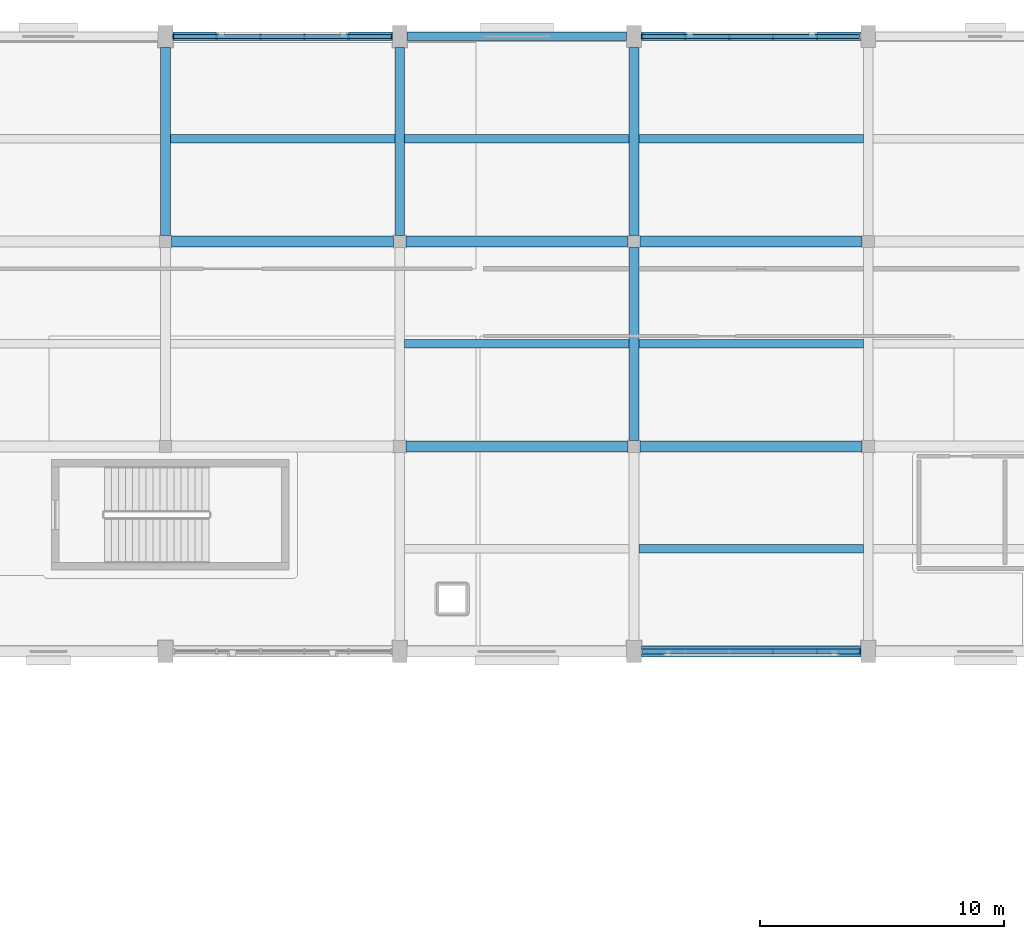
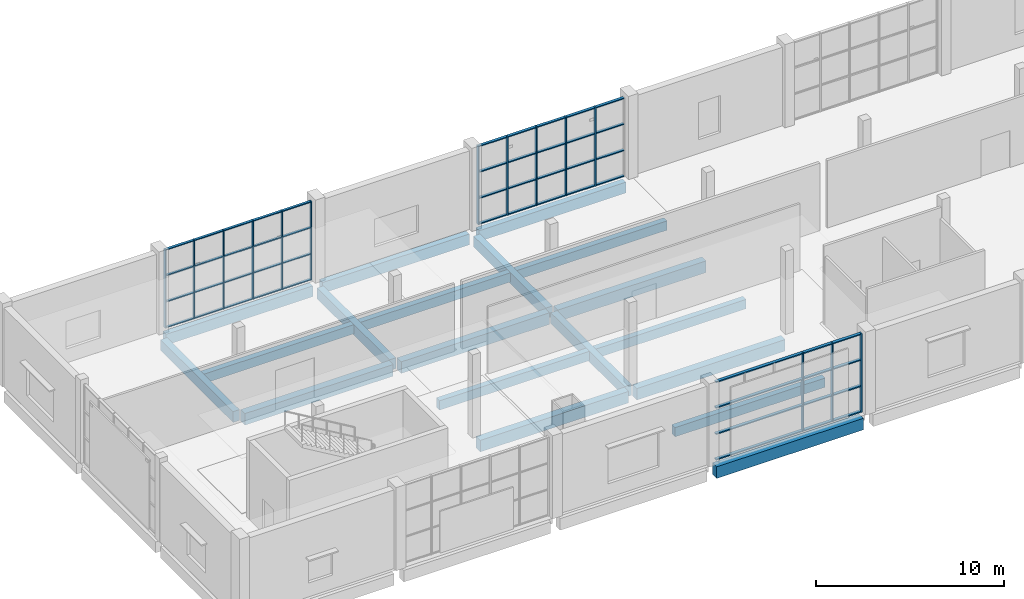
# One storey, part 23 of 72: 26 members, 19 beams, 3 elements without a shape of their own.
"""IFC4 building model written with IfcOpenShell, lengths in metres."""

from ifc_helpers import new_model, si_unit, direction, frame, origin, origin_2d, place, context, subcontext, project, spatial, rectangle, extrude, material, material_profile, profile_set, type_object, element, aggregate, save


model = new_model("IFC4")

# Units and contexts
model_context = context("Model", 3, precision=1e-05, world=origin(), true_north=direction((0.0, 1.0)))
body_context = subcontext(model_context, "Body", "Model", "MODEL_VIEW")
ifc_project = project(units=[si_unit("LENGTHUNIT", "METRE"), si_unit("AREAUNIT", "SQUARE_METRE"), si_unit("VOLUMEUNIT", "CUBIC_METRE"), si_unit("PLANEANGLEUNIT", "RADIAN"), si_unit("MASSUNIT", "GRAM", prefix="KILO")], contexts=[model_context])

# Site, building, storey
site_placement = place(None, origin())
site = spatial("IfcSite", under=ifc_project, at=site_placement, CompositionType="ELEMENT")
building_placement = place(site_placement, origin())
building = spatial("IfcBuilding", under=site, at=building_placement, Name="Shalvenor Court Art Gallery", CompositionType="ELEMENT")
storey_placement = place(building_placement, frame((0.0, 0.0, 11.39990234375)))
storey = spatial("IfcBuildingStorey", under=building, at=storey_placement, Name="L02", CompositionType="ELEMENT", Elevation=11.39990234375)

# Beams
ifc_material_1 = material(Name="Concrete C40/50", Category="concrete")
ifc_material_profile_1 = material_profile(ifc_material_1, rectangle(XDim=0.449951171875, YDim=0.75, at=origin_2d()), Name="RC 450x750")
ifc_profile_set_1 = profile_set([ifc_material_profile_1], Name="Concrete C40/50")
beam_type_1 = type_object("IfcBeamType", Name="B-04", PredefinedType="BEAM", material=ifc_profile_set_1)
beam_1_placement = place(storey_placement, frame((86.699951171875, 97.199951171875, -0.69482421875), z_axis=(1.0, 0.0, 0.0), x_axis=(0.0, 1.0, 0.0)))
element("IfcBeam", 1, at=beam_1_placement, inside=storey, type_object=beam_type_1, Name="L02 Girder BM-L02-B-04-0876", PredefinedType="BEAM", context=body_context, shape_type="SweptSolid", body=[
    extrude(rectangle(XDim=0.449951171875, YDim=0.75, at=origin_2d()), origin(), (0.0, 0.0, 1.0), 9.0),
])
beam_2_placement = place(storey_placement, frame((77.050048828125, 105.60009765625, -0.69482421875), z_axis=(1.0, 0.0, 0.0), x_axis=(0.0, 1.0, 0.0)))
element("IfcBeam", 2, at=beam_2_placement, inside=storey, type_object=beam_type_1, Name="L02 Girder BM-L02-B-04-0890", PredefinedType="BEAM", context=body_context, shape_type="SweptSolid", body=[
    extrude(rectangle(XDim=0.449951171875, YDim=0.75, at=origin_2d()), origin(), (0.0, 0.0, 1.0), 9.099853515625),
])
for number, where, z_axis, x_axis, name in (
    (3, (86.64990234375, 105.60009765625, -0.69482421875), (1.0, 0.0, 0.0), (0.0, 1.0, 0.0), "L02 Girder BM-L02-B-04-0891"),
    (4, (67.449951171875, 114.0, -0.69482421875), (1.0, 0.0, 0.0), (0.0, 1.0, 0.0), "L02 Girder BM-L02-B-04-0896"),
):
    element("IfcBeam", number, at=place(storey_placement, frame(where, z_axis=z_axis, x_axis=x_axis)), inside=storey, type_object=beam_type_1, Name=name, PredefinedType="BEAM", context=body_context, shape_type="SweptSolid", body=[
        extrude(rectangle(XDim=0.449951171875, YDim=0.75, at=origin_2d()), origin(), (0.0, 0.0, 1.0), 9.10009765625),
    ])
beam_3_placement = place(storey_placement, frame((77.050048828125, 114.0, -0.69482421875), z_axis=(1.0, 0.0, 0.0), x_axis=(0.0, 1.0, 0.0)))
element("IfcBeam", 5, at=beam_3_placement, inside=storey, type_object=beam_type_1, Name="L02 Girder BM-L02-B-04-0897", PredefinedType="BEAM", context=body_context, shape_type="SweptSolid", body=[
    extrude(rectangle(XDim=0.449951171875, YDim=0.75, at=origin_2d()), origin(), (0.0, 0.0, 1.0), 9.099853515625),
])
beam_4_placement = place(storey_placement, frame((86.64990234375, 114.0, -0.69482421875), z_axis=(1.0, 0.0, 0.0), x_axis=(0.0, 1.0, 0.0)))
element("IfcBeam", 6, at=beam_4_placement, inside=storey, type_object=beam_type_1, Name="L02 Girder BM-L02-B-04-0898", PredefinedType="BEAM", context=body_context, shape_type="SweptSolid", body=[
    extrude(rectangle(XDim=0.449951171875, YDim=0.75, at=origin_2d()), origin(), (0.0, 0.0, 1.0), 9.10009765625),
])
ifc_material_2 = material(Name="Concrete C40/50", Category="concrete")
ifc_material_profile_2 = material_profile(ifc_material_2, rectangle(XDim=0.39990234375, YDim=0.699951171875, at=origin_2d()), Name="RC 400x700")
ifc_profile_set_2 = profile_set([ifc_material_profile_2], Name="Concrete C40/50")
beam_type_2 = type_object("IfcBeamType", Name="B-05", PredefinedType="BEAM", material=ifc_profile_set_2)
for number, where, z_axis, x_axis, name in (
    (7, (67.199951171875, 114.25, -0.669921875), (0.0, 1.0, 0.0), (-1.0, 0.0, 0.0), "L02 Girder BM-L02-B-05-0735"),
    (8, (76.800048828125, 114.25, -0.669921875), (0.0, 1.0, 0.0), (-1.0, 0.0, 0.0), "L02 Girder BM-L02-B-05-0738"),
):
    element("IfcBeam", number, at=place(storey_placement, frame(where, z_axis=z_axis, x_axis=x_axis)), inside=storey, type_object=beam_type_2, Name=name, PredefinedType="BEAM", context=body_context, shape_type="SweptSolid", body=[
        extrude(rectangle(XDim=0.39990234375, YDim=0.699951171875, at=origin_2d()), origin(), (0.0, 0.0, 1.0), 7.699951171875),
    ])
beam_5_placement = place(storey_placement, frame((86.39990234375, 105.85009765625, -0.669921875), z_axis=(0.0, 1.0, 0.0), x_axis=(-1.0, 0.0, 0.0)))
element("IfcBeam", 9, at=beam_5_placement, inside=storey, type_object=beam_type_2, Name="L02 Girder BM-L02-B-05-0740", PredefinedType="BEAM", context=body_context, shape_type="SweptSolid", body=[
    extrude(rectangle(XDim=0.39990234375, YDim=0.699951171875, at=origin_2d()), origin(), (0.0, 0.0, 1.0), 7.89990234375),
])
beam_6_placement = place(storey_placement, frame((86.39990234375, 114.25, -0.669921875), z_axis=(0.0, 1.0, 0.0), x_axis=(-1.0, 0.0, 0.0)))
element("IfcBeam", 10, at=beam_6_placement, inside=storey, type_object=beam_type_2, Name="L02 Girder BM-L02-B-05-0741", PredefinedType="BEAM", context=body_context, shape_type="SweptSolid", body=[
    extrude(rectangle(XDim=0.39990234375, YDim=0.699951171875, at=origin_2d()), origin(), (0.0, 0.0, 1.0), 7.699951171875),
])

# Curtain wall, members
ifc_material_3 = material(Name="Anodised aluminium and low-iron glass curtain wall", Category="aluminium")
curtain_wall_type_1 = type_object("IfcCurtainWallType", Name="CW-5x3-90-51-112", PredefinedType="USERDEFINED", material=ifc_material_3)
curtain_wall_1_placement = place(storey_placement, origin())
curtain_wall_1 = element("IfcCurtainWall", 11, at=curtain_wall_1_placement, inside=storey, type_object=curtain_wall_type_1, Name="L02 V2 Curtain Wall CW-L02-072", ObjectType="CURTAIN WALL", PredefinedType="USERDEFINED")
ifc_material_4 = material(Name="Anodised aluminium mullion", Category="aluminium")
ifc_material_profile_3 = material_profile(ifc_material_4, rectangle(XDim=0.06494140625, YDim=0.179931640625, at=origin_2d()), Name="CWM-01")
ifc_profile_set_3 = profile_set([ifc_material_profile_3], Name="Anodised aluminium mullion")
member_type_1 = type_object("IfcMemberType", Name="CWM-01", PredefinedType="MULLION", material=ifc_profile_set_3)
member_1_placement = place(storey_placement, frame((67.532470703125, 122.39990234375, 0.0), z_axis=(0.0, 0.0, 1.0), x_axis=(1.0, 0.0, 0.0)))
member_1 = element("IfcMember", 12, at=member_1_placement, type_object=member_type_1, Name="CW-5x3-90-51-112 mullion 1", PredefinedType="MULLION", context=body_context, shape_type="SweptSolid", body=[
    extrude(rectangle(XDim=0.06494140625, YDim=0.179931640625, at=origin_2d()), origin(), (0.0, 0.0, 1.0), 5.10009765625),
])
member_2_placement = place(storey_placement, frame((69.300048828125, 122.39990234375, 0.0), z_axis=(0.0, 0.0, 1.0), x_axis=(1.0, 0.0, 0.0)))
member_2 = element("IfcMember", 13, at=member_2_placement, type_object=member_type_1, Name="CW-5x3-90-51-112 mullion 2", PredefinedType="MULLION", context=body_context, shape_type="SweptSolid", body=[
    extrude(rectangle(XDim=0.06494140625, YDim=0.179931640625, at=origin_2d()), origin(), (0.0, 0.0, 1.0), 5.10009765625),
])
member_3_placement = place(storey_placement, frame((71.10009765625, 122.39990234375, 0.0), z_axis=(0.0, 0.0, 1.0), x_axis=(1.0, 0.0, 0.0)))
member_3 = element("IfcMember", 14, at=member_3_placement, type_object=member_type_1, Name="CW-5x3-90-51-112 mullion 3", PredefinedType="MULLION", context=body_context, shape_type="SweptSolid", body=[
    extrude(rectangle(XDim=0.06494140625, YDim=0.179931640625, at=origin_2d()), origin(), (0.0, 0.0, 1.0), 5.10009765625),
])
member_4_placement = place(storey_placement, frame((72.89990234375, 122.39990234375, 0.0), z_axis=(0.0, 0.0, 1.0), x_axis=(1.0, 0.0, 0.0)))
member_4 = element("IfcMember", 15, at=member_4_placement, type_object=member_type_1, Name="CW-5x3-90-51-112 mullion 4", PredefinedType="MULLION", context=body_context, shape_type="SweptSolid", body=[
    extrude(rectangle(XDim=0.06494140625, YDim=0.179931640625, at=origin_2d()), origin(), (0.0, 0.0, 1.0), 5.10009765625),
])
member_5_placement = place(storey_placement, frame((74.699951171875, 122.39990234375, 0.0), z_axis=(0.0, 0.0, 1.0), x_axis=(1.0, 0.0, 0.0)))
member_5 = element("IfcMember", 16, at=member_5_placement, type_object=member_type_1, Name="CW-5x3-90-51-112 mullion 5", PredefinedType="MULLION", context=body_context, shape_type="SweptSolid", body=[
    extrude(rectangle(XDim=0.06494140625, YDim=0.179931640625, at=origin_2d()), origin(), (0.0, 0.0, 1.0), 5.10009765625),
])
member_6_placement = place(storey_placement, frame((76.467529296875, 122.39990234375, 0.0), z_axis=(0.0, 0.0, 1.0), x_axis=(1.0, 0.0, 0.0)))
member_6 = element("IfcMember", 17, at=member_6_placement, type_object=member_type_1, Name="CW-5x3-90-51-112 mullion 6", PredefinedType="MULLION", context=body_context, shape_type="SweptSolid", body=[
    extrude(rectangle(XDim=0.06494140625, YDim=0.179931640625, at=origin_2d()), origin(), (0.0, 0.0, 1.0), 5.10009765625),
])

ifc_material_5 = material(Name="Anodised aluminium and low-iron glass curtain wall", Category="aluminium")
curtain_wall_type_2 = type_object("IfcCurtainWallType", Name="CW-5x3-90-51-222", PredefinedType="USERDEFINED", material=ifc_material_5)
curtain_wall_2_placement = place(storey_placement, origin())
curtain_wall_2 = element("IfcCurtainWall", 18, at=curtain_wall_2_placement, inside=storey, type_object=curtain_wall_type_2, Name="L02 V2 Curtain Wall CW-L02-073", ObjectType="CURTAIN WALL", PredefinedType="USERDEFINED")
ifc_material_6 = material(Name="Anodised aluminium mullion", Category="aluminium")
ifc_material_profile_4 = material_profile(ifc_material_6, rectangle(XDim=0.070068359375, YDim=0.199951171875, at=origin_2d()), Name="CWM-02")
ifc_profile_set_4 = profile_set([ifc_material_profile_4], Name="Anodised aluminium mullion")
member_type_2 = type_object("IfcMemberType", Name="CWM-02", PredefinedType="MULLION", material=ifc_profile_set_4)
member_7_placement = place(storey_placement, frame((86.735107421875, 122.39990234375, 0.0), z_axis=(0.0, 0.0, 1.0), x_axis=(1.0, 0.0, 0.0)))
member_7 = element("IfcMember", 19, at=member_7_placement, type_object=member_type_2, Name="CW-5x3-90-51-222 mullion 1", PredefinedType="MULLION", context=body_context, shape_type="SweptSolid", body=[
    extrude(rectangle(XDim=0.070068359375, YDim=0.199951171875, at=origin_2d()), origin(), (0.0, 0.0, 1.0), 5.10009765625),
])
member_8_placement = place(storey_placement, frame((88.5, 122.39990234375, 0.0), z_axis=(0.0, 0.0, 1.0), x_axis=(1.0, 0.0, 0.0)))
member_8 = element("IfcMember", 20, at=member_8_placement, type_object=member_type_2, Name="CW-5x3-90-51-222 mullion 2", PredefinedType="MULLION", context=body_context, shape_type="SweptSolid", body=[
    extrude(rectangle(XDim=0.070068359375, YDim=0.199951171875, at=origin_2d()), origin(), (0.0, 0.0, 1.0), 5.10009765625),
])
member_9_placement = place(storey_placement, frame((90.300048828125, 122.39990234375, 0.0), z_axis=(0.0, 0.0, 1.0), x_axis=(1.0, 0.0, 0.0)))
member_9 = element("IfcMember", 21, at=member_9_placement, type_object=member_type_2, Name="CW-5x3-90-51-222 mullion 3", PredefinedType="MULLION", context=body_context, shape_type="SweptSolid", body=[
    extrude(rectangle(XDim=0.070068359375, YDim=0.199951171875, at=origin_2d()), origin(), (0.0, 0.0, 1.0), 5.10009765625),
])
member_10_placement = place(storey_placement, frame((92.10009765625, 122.39990234375, 0.0), z_axis=(0.0, 0.0, 1.0), x_axis=(1.0, 0.0, 0.0)))
member_10 = element("IfcMember", 22, at=member_10_placement, type_object=member_type_2, Name="CW-5x3-90-51-222 mullion 4", PredefinedType="MULLION", context=body_context, shape_type="SweptSolid", body=[
    extrude(rectangle(XDim=0.070068359375, YDim=0.199951171875, at=origin_2d()), origin(), (0.0, 0.0, 1.0), 5.10009765625),
])
member_11_placement = place(storey_placement, frame((93.89990234375, 122.39990234375, 0.0), z_axis=(0.0, 0.0, 1.0), x_axis=(1.0, 0.0, 0.0)))
member_11 = element("IfcMember", 23, at=member_11_placement, type_object=member_type_2, Name="CW-5x3-90-51-222 mullion 5", PredefinedType="MULLION", context=body_context, shape_type="SweptSolid", body=[
    extrude(rectangle(XDim=0.070068359375, YDim=0.199951171875, at=origin_2d()), origin(), (0.0, 0.0, 1.0), 5.10009765625),
])

ifc_material_7 = material(Name="Anodised aluminium and low-iron glass curtain wall", Category="aluminium")
curtain_wall_type_3 = type_object("IfcCurtainWallType", Name="CW-5x3-90-51-242", PredefinedType="USERDEFINED", material=ifc_material_7)
curtain_wall_3_placement = place(storey_placement, origin())
curtain_wall_3 = element("IfcCurtainWall", 24, at=curtain_wall_3_placement, inside=storey, type_object=curtain_wall_type_3, Name="L02 V2 Curtain Wall CW-L02-077", ObjectType="CURTAIN WALL", PredefinedType="USERDEFINED")
member_12_placement = place(storey_placement, frame((95.6650390625, 97.199951171875, 0.0), z_axis=(0.0, 0.0, 1.0), x_axis=(-1.0, 0.0, 0.0)))
member_12 = element("IfcMember", 25, at=member_12_placement, type_object=member_type_2, Name="CW-5x3-90-51-242 mullion 1", PredefinedType="MULLION", context=body_context, shape_type="SweptSolid", body=[
    extrude(rectangle(XDim=0.070068359375, YDim=0.199951171875, at=origin_2d()), origin(), (0.0, 0.0, 1.0), 5.10009765625),
])
member_13_placement = place(storey_placement, frame((93.89990234375, 97.199951171875, 0.0), z_axis=(0.0, 0.0, 1.0), x_axis=(-1.0, 0.0, 0.0)))
member_13 = element("IfcMember", 26, at=member_13_placement, type_object=member_type_2, Name="CW-5x3-90-51-242 mullion 2", PredefinedType="MULLION", context=body_context, shape_type="SweptSolid", body=[
    extrude(rectangle(XDim=0.070068359375, YDim=0.199951171875, at=origin_2d()), origin(), (0.0, 0.0, 1.0), 5.10009765625),
])
member_14_placement = place(storey_placement, frame((92.10009765625, 97.199951171875, 0.0), z_axis=(0.0, 0.0, 1.0), x_axis=(-1.0, 0.0, 0.0)))
member_14 = element("IfcMember", 27, at=member_14_placement, type_object=member_type_2, Name="CW-5x3-90-51-242 mullion 3", PredefinedType="MULLION", context=body_context, shape_type="SweptSolid", body=[
    extrude(rectangle(XDim=0.070068359375, YDim=0.199951171875, at=origin_2d()), origin(), (0.0, 0.0, 1.0), 5.10009765625),
])

# Member
ifc_material_8 = material(Name="Anodised aluminium transom", Category="aluminium")
ifc_material_profile_5 = material_profile(ifc_material_8, rectangle(XDim=0.14990234375, YDim=0.06005859375, at=origin_2d()), Name="CWT-01")
ifc_profile_set_5 = profile_set([ifc_material_profile_5], Name="Anodised aluminium transom")
member_type_3 = type_object("IfcMemberType", Name="CWT-01", PredefinedType="USERDEFINED", material=ifc_profile_set_5)
member_15_placement = place(storey_placement, frame((67.532470703125, 122.39990234375, 0.030029296875), z_axis=(1.0, 0.0, 0.0), x_axis=(0.0, 1.0, 0.0)))
member_15 = element("IfcMember", 28, at=member_15_placement, type_object=member_type_3, Name="CW-5x3-90-51-112 transom 1", ObjectType="TRANSOM", PredefinedType="USERDEFINED", context=body_context, shape_type="SweptSolid", body=[
    extrude(rectangle(XDim=0.14990234375, YDim=0.06005859375, at=origin_2d()), origin(), (0.0, 0.0, 1.0), 8.93505859375),
])

member_16_placement = place(storey_placement, frame((67.532470703125, 122.39990234375, 1.7001953125), z_axis=(1.0, 0.0, 0.0), x_axis=(0.0, 1.0, 0.0)))
member_16 = element("IfcMember", 29, at=member_16_placement, type_object=member_type_3, Name="CW-5x3-90-51-112 transom 2", ObjectType="TRANSOM", PredefinedType="USERDEFINED", context=body_context, shape_type="SweptSolid", body=[
    extrude(rectangle(XDim=0.14990234375, YDim=0.06005859375, at=origin_2d()), origin(), (0.0, 0.0, 1.0), 8.93505859375),
])

member_17_placement = place(storey_placement, frame((67.532470703125, 122.39990234375, 3.400146484375), z_axis=(1.0, 0.0, 0.0), x_axis=(0.0, 1.0, 0.0)))
member_17 = element("IfcMember", 30, at=member_17_placement, type_object=member_type_3, Name="CW-5x3-90-51-112 transom 3", ObjectType="TRANSOM", PredefinedType="USERDEFINED", context=body_context, shape_type="SweptSolid", body=[
    extrude(rectangle(XDim=0.14990234375, YDim=0.06005859375, at=origin_2d()), origin(), (0.0, 0.0, 1.0), 8.93505859375),
])

member_18_placement = place(storey_placement, frame((67.532470703125, 122.39990234375, 5.070068359375), z_axis=(1.0, 0.0, 0.0), x_axis=(0.0, 1.0, 0.0)))
member_18 = element("IfcMember", 31, at=member_18_placement, type_object=member_type_3, Name="CW-5x3-90-51-112 transom 4", ObjectType="TRANSOM", PredefinedType="USERDEFINED", context=body_context, shape_type="SweptSolid", body=[
    extrude(rectangle(XDim=0.14990234375, YDim=0.06005859375, at=origin_2d()), origin(), (0.0, 0.0, 1.0), 8.93505859375),
])

aggregate(curtain_wall_1, [member_1, member_2, member_3, member_4, member_5, member_6, member_15, member_16, member_17, member_18])

ifc_material_9 = material(Name="Anodised aluminium transom", Category="aluminium")
ifc_material_profile_6 = material_profile(ifc_material_9, rectangle(XDim=0.169921875, YDim=0.06494140625, at=origin_2d()), Name="CWT-02")
ifc_profile_set_6 = profile_set([ifc_material_profile_6], Name="Anodised aluminium transom")
member_type_4 = type_object("IfcMemberType", Name="CWT-02", PredefinedType="USERDEFINED", material=ifc_profile_set_6)
member_19_placement = place(storey_placement, frame((86.735107421875, 122.39990234375, 0.03271484375), z_axis=(1.0, 0.0, 0.0), x_axis=(0.0, 1.0, 0.0)))
member_19 = element("IfcMember", 32, at=member_19_placement, type_object=member_type_4, Name="CW-5x3-90-51-222 transom 1", ObjectType="TRANSOM", PredefinedType="USERDEFINED", context=body_context, shape_type="SweptSolid", body=[
    extrude(rectangle(XDim=0.169921875, YDim=0.06494140625, at=origin_2d()), origin(), (0.0, 0.0, 1.0), 8.929931640625),
])

member_20_placement = place(storey_placement, frame((86.735107421875, 122.39990234375, 1.7001953125), z_axis=(1.0, 0.0, 0.0), x_axis=(0.0, 1.0, 0.0)))
member_20 = element("IfcMember", 33, at=member_20_placement, type_object=member_type_4, Name="CW-5x3-90-51-222 transom 2", ObjectType="TRANSOM", PredefinedType="USERDEFINED", context=body_context, shape_type="SweptSolid", body=[
    extrude(rectangle(XDim=0.169921875, YDim=0.06494140625, at=origin_2d()), origin(), (0.0, 0.0, 1.0), 8.929931640625),
])

member_21_placement = place(storey_placement, frame((86.735107421875, 122.39990234375, 3.400146484375), z_axis=(1.0, 0.0, 0.0), x_axis=(0.0, 1.0, 0.0)))
member_21 = element("IfcMember", 34, at=member_21_placement, type_object=member_type_4, Name="CW-5x3-90-51-222 transom 3", ObjectType="TRANSOM", PredefinedType="USERDEFINED", context=body_context, shape_type="SweptSolid", body=[
    extrude(rectangle(XDim=0.169921875, YDim=0.06494140625, at=origin_2d()), origin(), (0.0, 0.0, 1.0), 8.929931640625),
])

member_22_placement = place(storey_placement, frame((86.735107421875, 122.39990234375, 5.067626953125), z_axis=(1.0, 0.0, 0.0), x_axis=(0.0, 1.0, 0.0)))
member_22 = element("IfcMember", 35, at=member_22_placement, type_object=member_type_4, Name="CW-5x3-90-51-222 transom 4", ObjectType="TRANSOM", PredefinedType="USERDEFINED", context=body_context, shape_type="SweptSolid", body=[
    extrude(rectangle(XDim=0.169921875, YDim=0.06494140625, at=origin_2d()), origin(), (0.0, 0.0, 1.0), 8.929931640625),
])

aggregate(curtain_wall_2, [member_7, member_8, member_9, member_10, member_11, member_19, member_20, member_21, member_22])

ifc_material_10 = material(Name="Anodised aluminium transom", Category="aluminium")
ifc_material_profile_7 = material_profile(ifc_material_10, rectangle(XDim=0.18994140625, YDim=0.070068359375, at=origin_2d()), Name="CWT-04")
ifc_profile_set_7 = profile_set([ifc_material_profile_7], Name="Anodised aluminium transom")
member_type_5 = type_object("IfcMemberType", Name="CWT-04", PredefinedType="USERDEFINED", material=ifc_profile_set_7)
member_23_placement = place(storey_placement, frame((95.6650390625, 97.199951171875, 0.03515625), z_axis=(-1.0, 0.0, 0.0), x_axis=(0.0, -1.0, 0.0)))
member_23 = element("IfcMember", 36, at=member_23_placement, type_object=member_type_5, Name="CW-5x3-90-51-242 transom 1", ObjectType="TRANSOM", PredefinedType="USERDEFINED", context=body_context, shape_type="SweptSolid", body=[
    extrude(rectangle(XDim=0.18994140625, YDim=0.070068359375, at=origin_2d()), origin(), (0.0, 0.0, 1.0), 8.929931640625),
])

member_24_placement = place(storey_placement, frame((95.6650390625, 97.199951171875, 1.7001953125), z_axis=(-1.0, 0.0, 0.0), x_axis=(0.0, -1.0, 0.0)))
member_24 = element("IfcMember", 37, at=member_24_placement, type_object=member_type_5, Name="CW-5x3-90-51-242 transom 2", ObjectType="TRANSOM", PredefinedType="USERDEFINED", context=body_context, shape_type="SweptSolid", body=[
    extrude(rectangle(XDim=0.18994140625, YDim=0.070068359375, at=origin_2d()), origin(), (0.0, 0.0, 1.0), 8.929931640625),
])

member_25_placement = place(storey_placement, frame((95.6650390625, 97.199951171875, 3.400146484375), z_axis=(-1.0, 0.0, 0.0), x_axis=(0.0, -1.0, 0.0)))
member_25 = element("IfcMember", 38, at=member_25_placement, type_object=member_type_5, Name="CW-5x3-90-51-242 transom 3", ObjectType="TRANSOM", PredefinedType="USERDEFINED", context=body_context, shape_type="SweptSolid", body=[
    extrude(rectangle(XDim=0.18994140625, YDim=0.070068359375, at=origin_2d()), origin(), (0.0, 0.0, 1.0), 8.929931640625),
])

member_26_placement = place(storey_placement, frame((95.6650390625, 97.199951171875, 5.065185546875), z_axis=(-1.0, 0.0, 0.0), x_axis=(0.0, -1.0, 0.0)))
member_26 = element("IfcMember", 39, at=member_26_placement, type_object=member_type_5, Name="CW-5x3-90-51-242 transom 4", ObjectType="TRANSOM", PredefinedType="USERDEFINED", context=body_context, shape_type="SweptSolid", body=[
    extrude(rectangle(XDim=0.18994140625, YDim=0.070068359375, at=origin_2d()), origin(), (0.0, 0.0, 1.0), 8.929931640625),
])

aggregate(curtain_wall_3, [member_12, member_13, member_14, member_23, member_24, member_25, member_26])

# Beams
ifc_material_11 = material(Name="Concrete C40/50", Category="concrete")
ifc_material_profile_8 = material_profile(ifc_material_11, rectangle(XDim=0.35009765625, YDim=0.60009765625, at=origin_2d()), Name="RC 350x600")
ifc_profile_set_8 = profile_set([ifc_material_profile_8], Name="Concrete C40/50")
beam_type_3 = type_object("IfcBeamType", Name="J-01", PredefinedType="JOIST", material=ifc_profile_set_8)
beam_7_placement = place(storey_placement, frame((67.39990234375, 118.199951171875, -0.619873046875), z_axis=(1.0, 0.0, 0.0), x_axis=(0.0, 1.0, 0.0)))
element("IfcBeam", 40, at=beam_7_placement, inside=storey, type_object=beam_type_3, Name="L02 Secondary Beam JST-L02-J-01-0930", PredefinedType="JOIST", context=body_context, shape_type="SweptSolid", body=[
    extrude(rectangle(XDim=0.35009765625, YDim=0.60009765625, at=origin_2d()), origin(), (0.0, 0.0, 1.0), 9.2001953125),
])
for number, where, z_axis, x_axis, name in (
    (41, (77.0, 109.800048828125, -0.619873046875), (1.0, 0.0, 0.0), (0.0, 1.0, 0.0), "L02 Secondary Beam JST-L02-J-01-0932"),
    (42, (77.0, 118.199951171875, -0.619873046875), (1.0, 0.0, 0.0), (0.0, 1.0, 0.0), "L02 Secondary Beam JST-L02-J-01-0933"),
    (43, (86.60009765625, 101.39990234375, -0.619873046875), (1.0, 0.0, 0.0), (0.0, 1.0, 0.0), "L02 Secondary Beam JST-L02-J-01-0934"),
    (44, (86.60009765625, 109.800048828125, -0.619873046875), (1.0, 0.0, 0.0), (0.0, 1.0, 0.0), "L02 Secondary Beam JST-L02-J-01-0935"),
    (45, (86.60009765625, 118.199951171875, -0.619873046875), (1.0, 0.0, 0.0), (0.0, 1.0, 0.0), "L02 Secondary Beam JST-L02-J-01-0936"),
):
    element("IfcBeam", number, at=place(storey_placement, frame(where, z_axis=z_axis, x_axis=x_axis)), inside=storey, type_object=beam_type_3, Name=name, PredefinedType="JOIST", context=body_context, shape_type="SweptSolid", body=[
        extrude(rectangle(XDim=0.35009765625, YDim=0.60009765625, at=origin_2d()), origin(), (0.0, 0.0, 1.0), 9.199951171875),
    ])
ifc_material_12 = material(Name="Concrete C40/50", Category="concrete")
ifc_material_profile_9 = material_profile(ifc_material_12, rectangle(XDim=0.35009765625, YDim=0.699951171875, at=origin_2d()), Name="RC 350x700")
ifc_profile_set_9 = profile_set([ifc_material_profile_9], Name="Concrete C40/50")
beam_type_4 = type_object("IfcBeamType", Name="SP-01", PredefinedType="SPANDREL", material=ifc_profile_set_9)
for number, where, z_axis, x_axis, name in (
    (46, (67.5, 122.39990234375, -0.669921875), (1.0, 0.0, 0.0), (0.0, 1.0, 0.0), "L02 Spandrel Girder BM-L02-SP-01-0907"),
    (47, (77.10009765625, 122.39990234375, -0.669921875), (1.0, 0.0, 0.0), (0.0, 1.0, 0.0), "L02 Spandrel Girder BM-L02-SP-01-0908"),
    (48, (86.699951171875, 122.39990234375, -0.669921875), (1.0, 0.0, 0.0), (0.0, 1.0, 0.0), "L02 Spandrel Girder BM-L02-SP-01-0909"),
):
    element("IfcBeam", number, at=place(storey_placement, frame(where, z_axis=z_axis, x_axis=x_axis)), inside=storey, type_object=beam_type_4, Name=name, PredefinedType="SPANDREL", context=body_context, shape_type="SweptSolid", body=[
        extrude(rectangle(XDim=0.35009765625, YDim=0.699951171875, at=origin_2d()), origin(), (0.0, 0.0, 1.0), 9.0),
    ])

save(model, "model.ifc")
